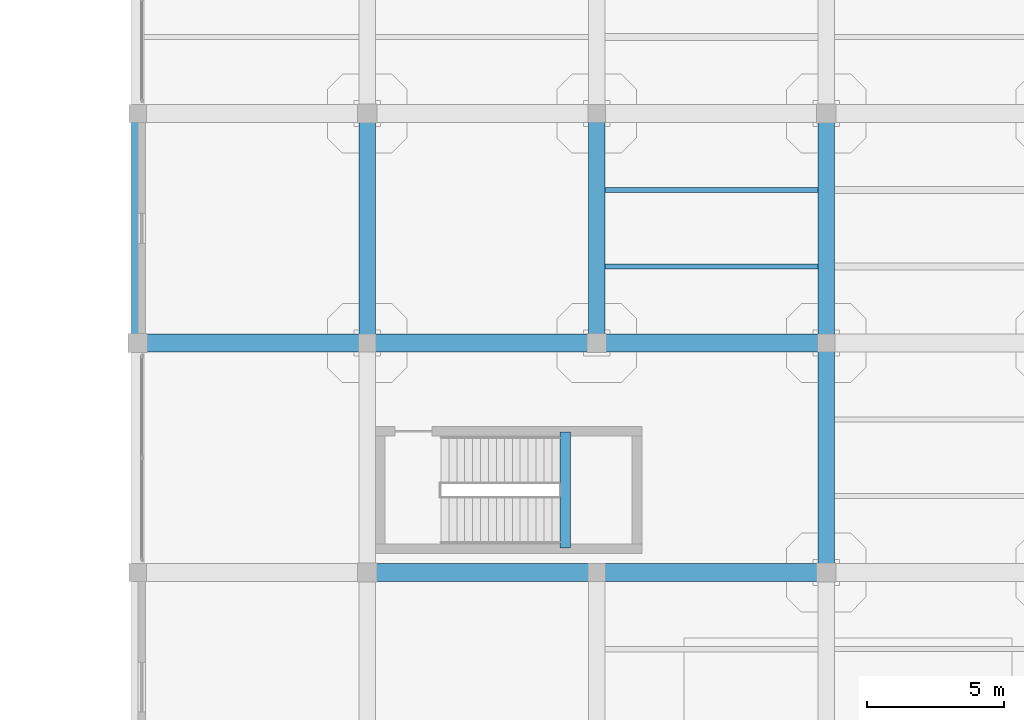
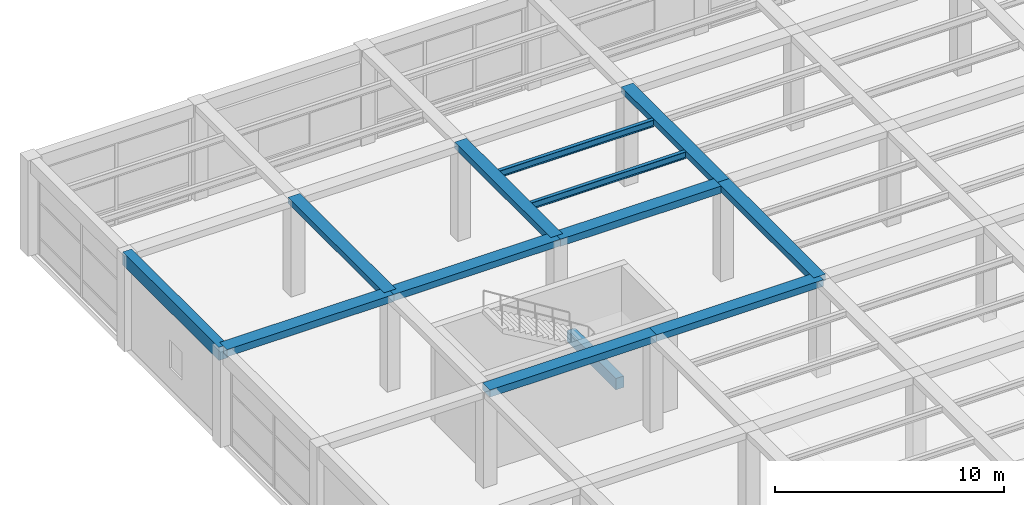
# One storey, part 34 of 95: 13 beams.
"""IFC4 building model written with IfcOpenShell, lengths in metres."""

from ifc_helpers import new_model, si_unit, direction, frame, origin, origin_2d, place, context, subcontext, project, spatial, rectangle, i_section, extrude, material, material_profile, profile_set, type_object, element, save


model = new_model("IFC4")

# Units and contexts
model_context = context("Model", 3, precision=1e-05, world=origin(), true_north=direction((0.0, 1.0)))
body_context = subcontext(model_context, "Body", "Model", "MODEL_VIEW")
ifc_project = project(units=[si_unit("LENGTHUNIT", "METRE"), si_unit("AREAUNIT", "SQUARE_METRE"), si_unit("VOLUMEUNIT", "CUBIC_METRE"), si_unit("PLANEANGLEUNIT", "RADIAN"), si_unit("MASSUNIT", "GRAM", prefix="KILO")], contexts=[model_context])

# Site, building, storey
site_placement = place(None, origin())
site = spatial("IfcSite", under=ifc_project, at=site_placement, CompositionType="ELEMENT")
building_placement = place(site_placement, origin())
building = spatial("IfcBuilding", under=site, at=building_placement, Name="Almacenes y Pasaje Nevantli", CompositionType="ELEMENT")
storey_placement = place(building_placement, frame((0.0, 0.0, 11.39990234375)))
storey = spatial("IfcBuildingStorey", under=building, at=storey_placement, Name="L03", CompositionType="ELEMENT", Elevation=11.39990234375)

# Beams
ifc_material_1 = material(Name="Concrete C35/45", Category="concrete")
ifc_material_profile_1 = material_profile(ifc_material_1, rectangle(XDim=0.39990234375, YDim=0.60009765625, at=origin_2d()), Name="RC-BM-400x600")
ifc_profile_set_1 = profile_set([ifc_material_profile_1], Name="Concrete C35/45")
beam_type_1 = type_object("IfcBeamType", Name="BM-RC-400x600", PredefinedType="SPANDREL", material=ifc_profile_set_1)
beam_1_placement = place(storey_placement, frame((15.64990234375, 93.300048828125, 2.2001953125), z_axis=(0.0, 1.0, 0.0), x_axis=(-1.0, 0.0, 0.0)))
element("IfcBeam", 1, at=beam_1_placement, inside=storey, type_object=beam_type_1, Name="L03 Stair ST-03 Half-Landing Support Beam", PredefinedType="SPANDREL", context=body_context, shape_type="SweptSolid", body=[
    extrude(rectangle(XDim=0.39990234375, YDim=0.60009765625, at=origin_2d()), origin(), (0.0, 0.0, 1.0), 4.25),
])
ifc_material_2 = material(Name="Concrete C35/45", Category="concrete")
ifc_material_profile_2 = material_profile(ifc_material_2, rectangle(XDim=0.449951171875, YDim=0.699951171875, at=origin_2d()), Name="RC-BM-450x700")
ifc_profile_set_2 = profile_set([ifc_material_profile_2], Name="Concrete C35/45")
beam_type_2 = type_object("IfcBeamType", Name="BM-RC-450x700", PredefinedType="SPANDREL", material=ifc_profile_set_2)
beam_2_placement = place(storey_placement, frame((0.0, 100.800048828125, 4.75), z_axis=(0.0, 1.0, 0.0), x_axis=(-1.0, 0.0, 0.0)))
element("IfcBeam", 2, at=beam_2_placement, inside=storey, type_object=beam_type_2, Name="L03 North-South Reinforced Concrete Beam #2489", PredefinedType="SPANDREL", context=body_context, shape_type="SweptSolid", body=[
    extrude(rectangle(XDim=0.449951171875, YDim=0.699951171875, at=origin_2d()), origin(), (0.0, 0.0, 1.0), 8.39990234375),
])
ifc_material_3 = material(Name="Concrete C35/45", Category="concrete")
ifc_material_profile_3 = material_profile(ifc_material_3, rectangle(XDim=0.60009765625, YDim=0.320068359375, at=origin_2d()), Name="RC-BM-600x320")
ifc_profile_set_3 = profile_set([ifc_material_profile_3], Name="Concrete C35/45")
beam_type_3 = type_object("IfcBeamType", Name="BM-RC-600x320", PredefinedType="BEAM", material=ifc_profile_set_3)
for number, where, z_axis, x_axis, name in (
    (3, (8.39990234375, 100.800048828125, 4.940185546875), (0.0, 1.0, 0.0), (-1.0, 0.0, 0.0), "L03 North-South Reinforced Concrete Beam #2500"),
    (4, (25.199951171875, 100.800048828125, 4.940185546875), (0.0, 1.0, 0.0), (-1.0, 0.0, 0.0), "L03 North-South Reinforced Concrete Beam #2522"),
):
    element("IfcBeam", number, at=place(storey_placement, frame(where, z_axis=z_axis, x_axis=x_axis)), inside=storey, type_object=beam_type_3, Name=name, PredefinedType="BEAM", context=body_context, shape_type="SweptSolid", body=[
        extrude(rectangle(XDim=0.60009765625, YDim=0.320068359375, at=origin_2d()), origin(), (0.0, 0.0, 1.0), 8.39990234375),
    ])
ifc_material_4 = material(Name="Concrete C35/45", Category="concrete")
ifc_material_profile_4 = material_profile(ifc_material_4, rectangle(XDim=0.60009765625, YDim=0.340087890625, at=origin_2d()), Name="RC-BM-600x340")
ifc_profile_set_4 = profile_set([ifc_material_profile_4], Name="Concrete C35/45")
beam_type_4 = type_object("IfcBeamType", Name="BM-RC-600x340", PredefinedType="BEAM", material=ifc_profile_set_4)
beam_3_placement = place(storey_placement, frame((16.800048828125, 100.800048828125, 4.93017578125), z_axis=(0.0, 1.0, 0.0), x_axis=(-1.0, 0.0, 0.0)))
element("IfcBeam", 5, at=beam_3_placement, inside=storey, type_object=beam_type_4, Name="L03 North-South Reinforced Concrete Beam #2509", PredefinedType="BEAM", context=body_context, shape_type="SweptSolid", body=[
    extrude(rectangle(XDim=0.60009765625, YDim=0.340087890625, at=origin_2d()), origin(), (0.0, 0.0, 1.0), 8.39990234375),
])
beam_4_placement = place(storey_placement, frame((25.199951171875, 92.39990234375, 4.93017578125), z_axis=(0.0, 1.0, 0.0), x_axis=(-1.0, 0.0, 0.0)))
element("IfcBeam", 6, at=beam_4_placement, inside=storey, type_object=beam_type_4, Name="L03 North-South Reinforced Concrete Beam #2521", PredefinedType="BEAM", context=body_context, shape_type="SweptSolid", body=[
    extrude(rectangle(XDim=0.60009765625, YDim=0.340087890625, at=origin_2d()), origin(), (0.0, 0.0, 1.0), 8.400146484375),
])
ifc_material_5 = material(Name="Concrete C35/45", Category="concrete")
ifc_material_profile_5 = material_profile(ifc_material_5, rectangle(XDim=0.64990234375, YDim=0.35009765625, at=origin_2d()), Name="RC-BM-650x350")
ifc_profile_set_5 = profile_set([ifc_material_profile_5], Name="Concrete C35/45")
beam_type_5 = type_object("IfcBeamType", Name="BM-RC-650x350", PredefinedType="BEAM", material=ifc_profile_set_5)
beam_5_placement = place(storey_placement, frame((16.800048828125, 92.39990234375, 4.925048828125), z_axis=(1.0, 0.0, 0.0), x_axis=(0.0, 1.0, 0.0)))
element("IfcBeam", 7, at=beam_5_placement, inside=storey, type_object=beam_type_5, Name="L03 East-West Reinforced Concrete Beam #2411", PredefinedType="BEAM", context=body_context, shape_type="SweptSolid", body=[
    extrude(rectangle(XDim=0.64990234375, YDim=0.35009765625, at=origin_2d()), origin(), (0.0, 0.0, 1.0), 8.39990234375),
])
beam_6_placement = place(storey_placement, frame((8.39990234375, 100.800048828125, 4.925048828125), z_axis=(1.0, 0.0, 0.0), x_axis=(0.0, 1.0, 0.0)))
element("IfcBeam", 8, at=beam_6_placement, inside=storey, type_object=beam_type_5, Name="L03 East-West Reinforced Concrete Beam #2427", PredefinedType="BEAM", context=body_context, shape_type="SweptSolid", body=[
    extrude(rectangle(XDim=0.64990234375, YDim=0.35009765625, at=origin_2d()), origin(), (0.0, 0.0, 1.0), 8.400146484375),
])
ifc_material_6 = material(Name="Concrete C35/45", Category="concrete")
ifc_material_profile_6 = material_profile(ifc_material_6, rectangle(XDim=0.64990234375, YDim=0.3798828125, at=origin_2d()), Name="RC-BM-650x380")
ifc_profile_set_6 = profile_set([ifc_material_profile_6], Name="Concrete C35/45")
beam_type_6 = type_object("IfcBeamType", Name="BM-RC-650x380", PredefinedType="BEAM", material=ifc_profile_set_6)
beam_7_placement = place(storey_placement, frame((8.39990234375, 92.39990234375, 4.91015625), z_axis=(1.0, 0.0, 0.0), x_axis=(0.0, 1.0, 0.0)))
element("IfcBeam", 9, at=beam_7_placement, inside=storey, type_object=beam_type_6, Name="L03 East-West Reinforced Concrete Beam #2410", PredefinedType="BEAM", context=body_context, shape_type="SweptSolid", body=[
    extrude(rectangle(XDim=0.64990234375, YDim=0.3798828125, at=origin_2d()), origin(), (0.0, 0.0, 1.0), 8.400146484375),
])
for number, where, z_axis, x_axis, name in (
    (10, (0.0, 100.800048828125, 4.91015625), (1.0, 0.0, 0.0), (0.0, 1.0, 0.0), "L03 East-West Reinforced Concrete Beam #2426"),
    (11, (16.800048828125, 100.800048828125, 4.91015625), (1.0, 0.0, 0.0), (0.0, 1.0, 0.0), "L03 East-West Reinforced Concrete Beam #2428"),
):
    element("IfcBeam", number, at=place(storey_placement, frame(where, z_axis=z_axis, x_axis=x_axis)), inside=storey, type_object=beam_type_6, Name=name, PredefinedType="BEAM", context=body_context, shape_type="SweptSolid", body=[
        extrude(rectangle(XDim=0.64990234375, YDim=0.3798828125, at=origin_2d()), origin(), (0.0, 0.0, 1.0), 8.39990234375),
    ])
ifc_material_7 = material(Name="Steel ASTM A992", Category="steel")
ifc_material_profile_7 = material_profile(ifc_material_7, i_section(OverallWidth=0.173095703125, OverallDepth=0.364013671875, WebThickness=0.009033203125, FlangeThickness=0.015625, at=origin_2d()), Name="IR 356x67.0")
ifc_profile_set_7 = profile_set([ifc_material_profile_7], Name="Steel ASTM A992")
beam_type_7 = type_object("IfcBeamType", Name="BM-STL-IR-356x67p0", PredefinedType="JOIST", material=ifc_profile_set_7)
for number, where, z_axis, x_axis, name in (
    (12, (17.10009765625, 103.60009765625, 4.91015625), (1.0, 0.0, 0.0), (0.0, 1.0, 0.0), "L03 Secondary Steel Floor Joist #693"),
    (13, (17.10009765625, 106.39990234375, 4.91015625), (1.0, 0.0, 0.0), (0.0, 1.0, 0.0), "L03 Secondary Steel Floor Joist #694"),
):
    element("IfcBeam", number, at=place(storey_placement, frame(where, z_axis=z_axis, x_axis=x_axis)), inside=storey, type_object=beam_type_7, Name=name, PredefinedType="JOIST", context=body_context, shape_type="SweptSolid", body=[
        extrude(i_section(OverallWidth=0.173095703125, OverallDepth=0.364013671875, WebThickness=0.009033203125, FlangeThickness=0.015625, at=origin_2d()), origin(), (0.0, 0.0, 1.0), 7.7998046875),
    ])

save(model, "model.ifc")
